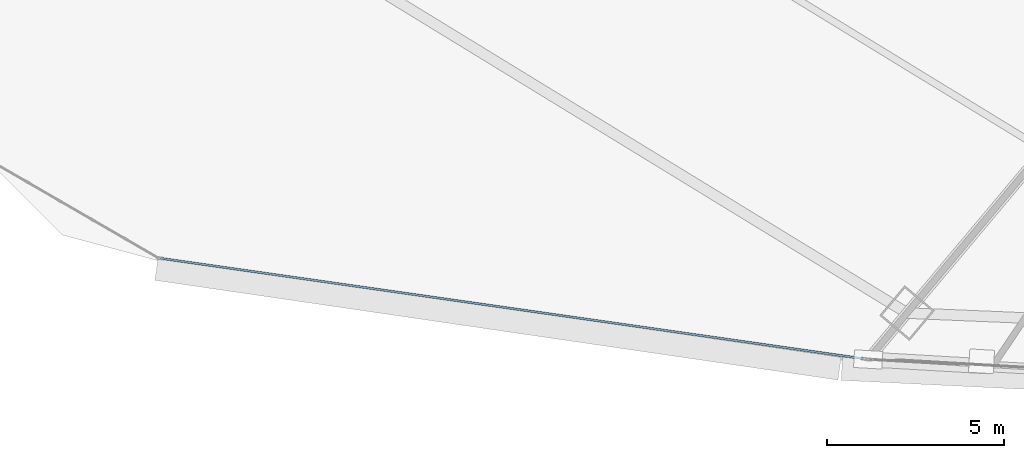
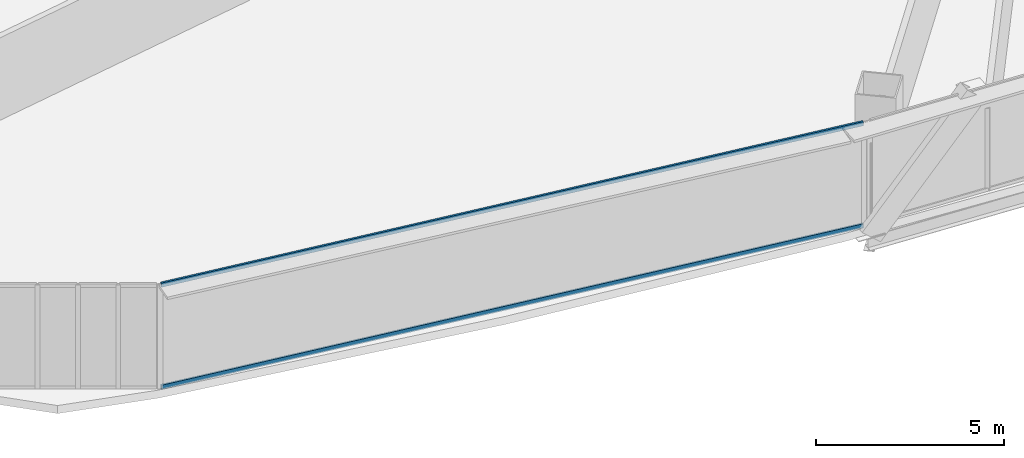
# One storey, part 3 of 42: 2 members, 1 element without a shape of its own.
"""IFC4 building model written with IfcOpenShell, lengths in metres."""

from ifc_helpers import new_model, si_unit, direction, frame, origin, origin_2d, place, context, subcontext, project, spatial, hollow_rectangle, extrude, source, transform, mapped, material, layer, layer_set, material_profile, profile_set, type_object, element, aggregate, save


model = new_model("IFC4")

# Units and contexts
model_context = context("Model", 3, precision=1e-05, world=origin(), true_north=direction((0.0, 1.0)))
body_context = subcontext(model_context, "Body", "Model", "MODEL_VIEW")
ifc_project = project(units=[si_unit("LENGTHUNIT", "METRE"), si_unit("AREAUNIT", "SQUARE_METRE"), si_unit("VOLUMEUNIT", "CUBIC_METRE"), si_unit("PLANEANGLEUNIT", "RADIAN"), si_unit("MASSUNIT", "GRAM", prefix="KILO"), si_unit("THERMODYNAMICTEMPERATUREUNIT", "KELVIN"), si_unit("POWERUNIT", "WATT")], contexts=[model_context])

# Site, building, storey
site_placement = place(None, origin())
site = spatial("IfcSite", under=ifc_project, at=site_placement, CompositionType="ELEMENT")
building_placement = place(site_placement, origin())
building = spatial("IfcBuilding", under=site, at=building_placement, Name="Yunzhuo Pagoda Commons", CompositionType="ELEMENT")
storey_placement = place(building_placement, frame((0.0, 0.0, 48.550048828125)))
storey = spatial("IfcBuildingStorey", under=building, at=storey_placement, Name="L12", CompositionType="ELEMENT", Elevation=48.550048828125)

# Curtain wall, members
ifc_material = material(Name="Anodized aluminium 6063-T6", Category="aluminium")
ifc_layer = layer(ifc_material, 0.1650390625)
ifc_layer_set = layer_set([ifc_layer], Name="Anodized aluminium 6063-T6")
curtain_wall_type = type_object("IfcCurtainWallType", Name="CW-LOW Low-Zone Ribbon Curtain Wall", PredefinedType="NOTDEFINED", material=ifc_layer_set)
curtain_wall_placement = place(storey_placement, origin())
curtain_wall = element("IfcCurtainWall", 1, at=curtain_wall_placement, inside=storey, type_object=curtain_wall_type, Name="L12 curtain wall CW-L12-F1B1", PredefinedType="NOTDEFINED")
ifc_material_profile = material_profile(ifc_material, hollow_rectangle(XDim=0.06005859375, YDim=0.139892578125, WallThickness=0.00341796875, at=origin_2d()), Name="Anodized aluminium 6063-T6")
ifc_profile_set = profile_set([ifc_material_profile], Name="Anodized aluminium 6063-T6")
member_type = type_object("IfcMemberType", Name="CW-LOW-T Transom RHS 140x60x3.5", PredefinedType="USERDEFINED", material=ifc_profile_set)
shared_shape = source(origin(), body_context, "Body", "SweptSolid", [
    extrude(hollow_rectangle(XDim=0.06005859375, YDim=0.139892578125, WallThickness=0.00341796875, at=origin_2d()), origin(), (0.0, 0.0, 1.0), 20.067138671875),
])
member_1_placement = place(storey_placement, frame((9.396240234375, 14.39208984375, 0.030029296875), z_axis=(0.989939271469, -0.141492893118, 0.0), x_axis=(0.141492893118, 0.989939271469, 0.0)))
member_1 = element("IfcMember", 2, at=member_1_placement, type_object=member_type, Name="CW transom 1.1", ObjectType="TRANSOM", PredefinedType="USERDEFINED", context=body_context, shape_type="MappedRepresentation", body=[
    mapped(shared_shape, transform((0.0, 0.0, 0.0), scale=1.0)),
])
member_2_placement = place(storey_placement, frame((9.396240234375, 14.39208984375, 3.33984375), z_axis=(0.989939271469, -0.141492893118, 0.0), x_axis=(0.141492893118, 0.989939271469, 0.0)))
member_2 = element("IfcMember", 3, at=member_2_placement, type_object=member_type, Name="CW transom 1.2", ObjectType="TRANSOM", PredefinedType="USERDEFINED", context=body_context, shape_type="MappedRepresentation", body=[
    mapped(shared_shape, transform((0.0, 0.0, 0.0), scale=1.0)),
])
aggregate(curtain_wall, [member_1, member_2])

save(model, "model.ifc")
